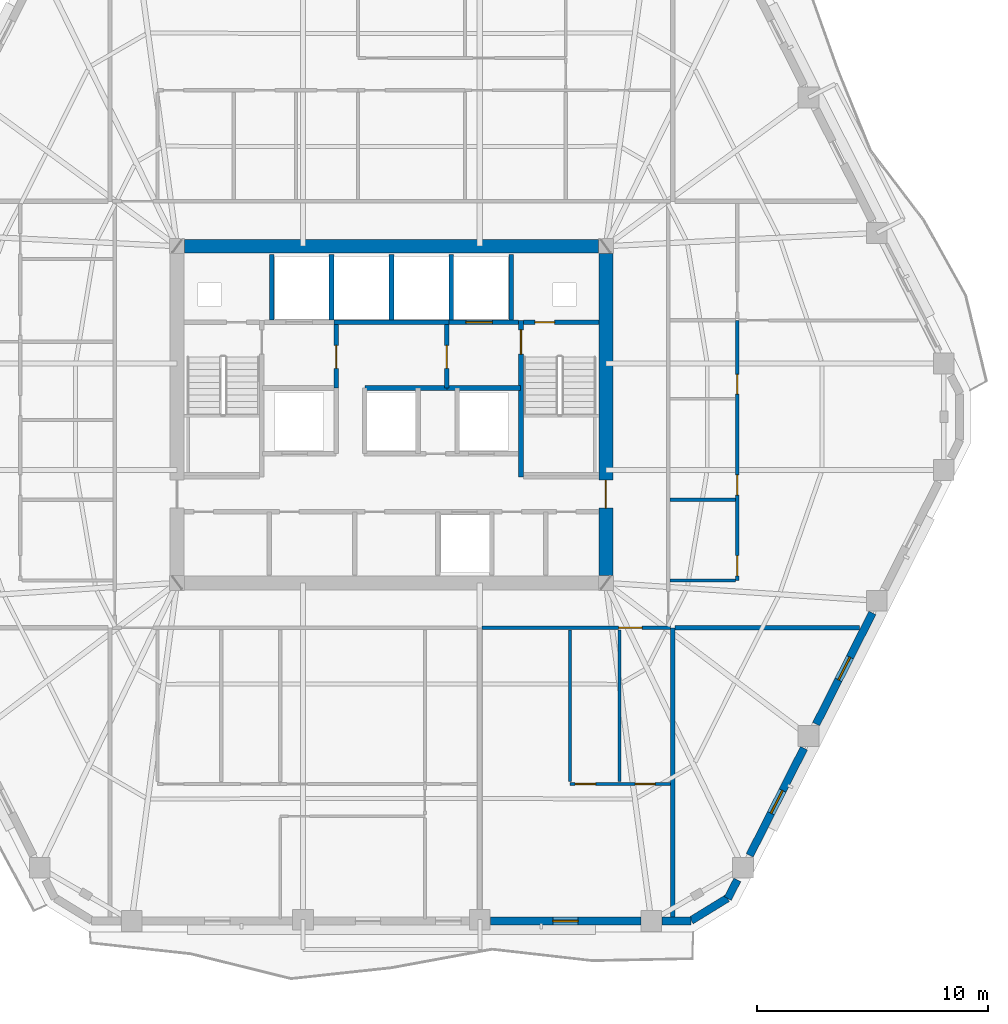
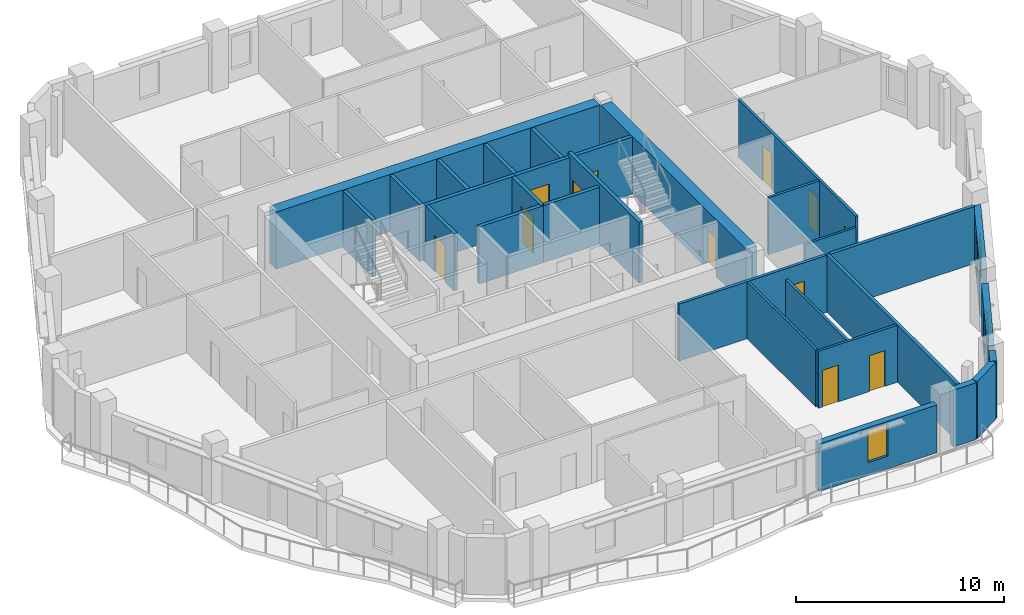
# One storey, part 6 of 12: 30 walls, 12 doors, 3 windows, 15 openings.
"""IFC4 building model written with IfcOpenShell, lengths in metres."""

from ifc_helpers import new_model, si_unit, direction, frame, frame_2d, origin, place, context, subcontext, project, spatial, rectangle, extrude, material, layer, layer_set, type_object, element, fill, save


model = new_model("IFC4")

# Units and contexts
model_context = context("Model", 3, precision=1e-05, world=origin(), true_north=direction((0.0, 1.0)))
body_context = subcontext(model_context, "Body", "Model", "MODEL_VIEW")
ifc_project = project(units=[si_unit("LENGTHUNIT", "METRE"), si_unit("AREAUNIT", "SQUARE_METRE"), si_unit("VOLUMEUNIT", "CUBIC_METRE"), si_unit("PLANEANGLEUNIT", "RADIAN"), si_unit("MASSUNIT", "GRAM", prefix="KILO")], contexts=[model_context])

# Site, building, storey
site_placement = place(None, origin())
site = spatial("IfcSite", under=ifc_project, at=site_placement, CompositionType="ELEMENT")
building_placement = place(site_placement, origin())
building = spatial("IfcBuilding", under=site, at=building_placement, Name="Cinnabar Lancet Tower", CompositionType="ELEMENT")
storey_placement = place(building_placement, frame((0.0, 0.0, 153.5)))
storey = spatial("IfcBuildingStorey", under=building, at=storey_placement, Name="L40", CompositionType="ELEMENT", Elevation=153.5)

# Wall, opening, door
ifc_material_1 = material(Name="Acoustic twin-stud gypsum partition", Category="gypsum")
ifc_layer_1 = layer(ifc_material_1, 0.159912109375)
ifc_layer_set_1 = layer_set([ifc_layer_1], Name="Acoustic twin-stud gypsum partition")
wall_type_1 = type_object("IfcWallType", Name="ARC-WL-CORR-160", PredefinedType="PARTITIONING", material=ifc_layer_set_1)
wall_1_placement = place(storey_placement, frame((36.326904296875, 16.64990234375, 0.0), z_axis=(0.0, 0.0, 1.0), x_axis=(1.0, 0.0, 0.0)))
wall_1 = element("IfcWall", 1, at=wall_1_placement, inside=storey, type_object=wall_type_1, Name="L40 Unit S02 Corridor Wall", PredefinedType="PARTITIONING", context=body_context, shape_type="SweptSolid", body=[
    extrude(rectangle(XDim=8.177978515625, YDim=0.159912109375, at=frame_2d((4.0888671875, 0.0))), origin(), (0.0, 0.0, 1.0), 3.340087890625),
])
opening_1_placement = place(wall_1_placement, frame((5.923095703125, 0.0, 0.0)))
opening_1 = element("IfcOpeningElement", 2, at=opening_1_placement, cuts=wall_1, Name="Opening UD-01", PredefinedType="OPENING", context=body_context, shape_type="SweptSolid", body=[
    extrude(rectangle(XDim=1.02001953125, YDim=2.25, at=frame_2d((0.510009765625, 1.125))), frame((0.0, 0.08984375, 0.0), z_axis=(0.0, -1.0, 0.0), x_axis=(1.0, 0.0, 0.0)), (0.0, 0.0, 1.0), 0.179931640625),
])
ifc_material_2 = material(Name="Solid timber fire-rated apartment entrance door", Category="wood")
door_type_1 = type_object("IfcDoorType", Name="ARC-DR-UNIT", OperationType="NOTDEFINED", PredefinedType="DOOR", material=ifc_material_2)
door_1_placement = place(opening_1_placement, origin())
door_1 = element("IfcDoor", 3, at=door_1_placement, inside=storey, type_object=door_type_1, Name="DR-L40-S02-ENT", OperationType="SINGLE_SWING_RIGHT", OverallHeight=2.25, OverallWidth=1.02001953125, PredefinedType="DOOR", context=body_context, shape_type="SweptSolid", body=[
    extrude(rectangle(XDim=1.02001953125, YDim=2.25, at=frame_2d((0.510009765625, 1.125))), frame((0.0, 0.02490234375, 0.0), z_axis=(0.0, -1.0, 0.0), x_axis=(1.0, 0.0, 0.0)), (0.0, 0.0, 1.0), 0.050048828125),
])
fill(opening_1, door_1)

# Walls
ifc_material_3 = material(Name="Fire-rated twin-frame acoustic drywall", Category="gypsum")
ifc_layer_2 = layer(ifc_material_3, 0.179931640625)
ifc_layer_set_2 = layer_set([ifc_layer_2], Name="Fire-rated twin-frame acoustic drywall")
wall_type_2 = type_object("IfcWallType", Name="ARC-WL-PARTY-180", PredefinedType="PARTITIONING", material=ifc_layer_set_2)
wall_2_placement = place(storey_placement, frame((44.60009765625, 4.10498046875, 0.0), z_axis=(0.0, 0.0, 1.0), x_axis=(0.0, 1.0, 0.0)))
element("IfcWall", 4, at=wall_2_placement, inside=storey, type_object=wall_type_2, Name="PW-L40-SPTY-446", PredefinedType="PARTITIONING", context=body_context, shape_type="SweptSolid", body=[
    extrude(rectangle(XDim=12.544921875, YDim=0.179931640625, at=frame_2d((6.2724609375, 0.0))), origin(), (0.0, 0.0, 1.0), 3.340087890625),
])
wall_3_placement = place(storey_placement, frame((44.695068359375, 16.64990234375, 0.0), z_axis=(0.0, 0.0, 1.0), x_axis=(1.0, 0.0, 0.0)))
element("IfcWall", 5, at=wall_3_placement, inside=storey, type_object=wall_type_2, Name="PW-L40-ESB", PredefinedType="PARTITIONING", context=body_context, shape_type="SweptSolid", body=[
    extrude(rectangle(XDim=7.995849609375, YDim=0.179931640625, at=frame_2d((3.998046875, 0.0))), origin(), (0.0, 0.0, 1.0), 3.340087890625),
])
ifc_material_4 = material(Name="Autoclaved aerated concrete blockwork", Category="masonry")
ifc_layer_3 = layer(ifc_material_4, 0.199951171875)
ifc_layer_set_3 = layer_set([ifc_layer_3], Name="Autoclaved aerated concrete blockwork")
wall_type_3 = type_object("IfcWallType", Name="ARC-WL-SHAFT-200", PredefinedType="PLUMBINGWALL", material=ifc_layer_set_3)
wall_4_placement = place(storey_placement, frame((29.89990234375, 29.89990234375, 0.0), z_axis=(0.0, 0.0, 1.0), x_axis=(1.0, 0.0, 0.0)))
element("IfcWall", 6, at=wall_4_placement, inside=storey, type_object=wall_type_3, Name="CW-PL78-L40", PredefinedType="PLUMBINGWALL", context=body_context, shape_type="SweptSolid", body=[
    extrude(rectangle(XDim=5.0, YDim=0.199951171875, at=frame_2d((2.5, 0.0))), origin(), (0.0, 0.0, 1.0), 3.340087890625),
])

# Wall, opening, door
wall_5_placement = place(storey_placement, frame((34.89990234375, 29.89990234375, 0.0), z_axis=(0.0, 0.0, 1.0), x_axis=(1.0, 0.0, 0.0)))
wall_5 = element("IfcWall", 7, at=wall_5_placement, inside=storey, type_object=wall_type_3, Name="CW-FL2-L40", PredefinedType="PLUMBINGWALL", context=body_context, shape_type="SweptSolid", body=[
    extrude(rectangle(XDim=3.01513671875, YDim=0.199951171875, at=frame_2d((1.507568359375, 0.0))), origin(), (0.0, 0.0, 1.0), 3.340087890625),
])
opening_2_placement = place(wall_5_placement, frame((0.72509765625, 0.0, 0.0)))
opening_2 = element("IfcOpeningElement", 8, at=opening_2_placement, cuts=wall_5, Name="Opening LD-02", PredefinedType="OPENING", context=body_context, shape_type="SweptSolid", body=[
    extrude(rectangle(XDim=1.14990234375, YDim=2.199951171875, at=frame_2d((0.574951171875, 1.10009765625))), frame((0.0, 0.10986328125, 0.0), z_axis=(0.0, -1.0, 0.0), x_axis=(1.0, 0.0, 0.0)), (0.0, 0.0, 1.0), 0.219970703125),
])
ifc_material_5 = material(Name="Fire-rated stainless steel firefighting lift landing door", Category="steel")
door_type_2 = type_object("IfcDoorType", Name="ARC-DR-LD-FIRE", OperationType="NOTDEFINED", PredefinedType="DOOR", material=ifc_material_5)
door_2_placement = place(opening_2_placement, origin())
door_2 = element("IfcDoor", 9, at=door_2_placement, inside=storey, type_object=door_type_2, Name="L40 Firefighting Lift FL-2 Landing Door", OperationType="DOUBLE_DOOR_SLIDING", OverallHeight=2.199951171875, OverallWidth=1.14990234375, PredefinedType="DOOR", context=body_context, shape_type="SweptSolid", body=[
    extrude(rectangle(XDim=1.14990234375, YDim=2.199951171875, at=frame_2d((0.574951171875, 1.10009765625))), frame((0.0, 0.02490234375, 0.0), z_axis=(0.0, -1.0, 0.0), x_axis=(1.0, 0.0, 0.0)), (0.0, 0.0, 1.0), 0.050048828125),
])
fill(opening_2, door_2)

wall_6_placement = place(storey_placement, frame((38.125, 29.89990234375, 0.0), z_axis=(0.0, 0.0, 1.0), x_axis=(1.0, 0.0, 0.0)))
wall_6 = element("IfcWall", 10, at=wall_6_placement, inside=storey, type_object=wall_type_3, Name="CW-NSH-E-L40", PredefinedType="PLUMBINGWALL", context=body_context, shape_type="SweptSolid", body=[
    extrude(rectangle(XDim=3.27001953125, YDim=0.199951171875, at=frame_2d((1.635009765625, 0.0))), origin(), (0.0, 0.0, 1.0), 3.340087890625),
])
opening_3_placement = place(wall_6_placement, frame((0.5, 0.0, 0.0)))
opening_3 = element("IfcOpeningElement", 11, at=opening_3_placement, cuts=wall_6, Name="Opening PD-02", PredefinedType="OPENING", context=body_context, shape_type="SweptSolid", body=[
    extrude(rectangle(XDim=0.85009765625, YDim=2.050048828125, at=frame_2d((0.425048828125, 1.02490234375))), frame((0.0, 0.10986328125, 0.0), z_axis=(0.0, -1.0, 0.0), x_axis=(1.0, 0.0, 0.0)), (0.0, 0.0, 1.0), 0.219970703125),
])
ifc_material_6 = material(Name="Fire-rated steel riser access door", Category="steel")
door_type_3 = type_object("IfcDoorType", Name="ARC-DR-RISER", OperationType="NOTDEFINED", PredefinedType="DOOR", material=ifc_material_6)
door_3_placement = place(opening_3_placement, origin())
door_3 = element("IfcDoor", 12, at=door_3_placement, inside=storey, type_object=door_type_3, Name="L40 East Riser Access Door", OperationType="SINGLE_SWING_RIGHT", OverallHeight=2.050048828125, OverallWidth=0.85009765625, PredefinedType="DOOR", context=body_context, shape_type="SweptSolid", body=[
    extrude(rectangle(XDim=0.85009765625, YDim=2.050048828125, at=frame_2d((0.425048828125, 1.02490234375))), frame((0.0, 0.02490234375, 0.0), z_axis=(0.0, -1.0, 0.0), x_axis=(1.0, 0.0, 0.0)), (0.0, 0.0, 1.0), 0.050048828125),
])
fill(opening_3, door_3)

# Walls
for number, where, z_axis, x_axis, name in (
    (13, (27.199951171875, 30.0, 0.0), (0.0, 0.0, 1.0), (0.0, 1.0, 0.0), "CW-NSH-D1-L40"),
    (14, (29.800048828125, 30.0, 0.0), (0.0, 0.0, 1.0), (0.0, 1.0, 0.0), "CW-NSH-D2-L40"),
    (15, (32.39990234375, 30.0, 0.0), (0.0, 0.0, 1.0), (0.0, 1.0, 0.0), "CW-NSH-D3-L40"),
    (16, (35.0, 30.0, 0.0), (0.0, 0.0, 1.0), (0.0, 1.0, 0.0), "CW-NSH-D4-L40"),
    (17, (37.60009765625, 30.0, 0.0), (0.0, 0.0, 1.0), (0.0, 1.0, 0.0), "CW-NSH-D5-L40"),
):
    element("IfcWall", number, at=place(storey_placement, frame(where, z_axis=z_axis, x_axis=x_axis)), inside=storey, type_object=wall_type_3, Name=name, PredefinedType="PLUMBINGWALL", context=body_context, shape_type="SweptSolid", body=[
        extrude(rectangle(XDim=2.85009765625, YDim=0.199951171875, at=frame_2d((1.425048828125, 0.0))), origin(), (0.0, 0.0, 1.0), 3.340087890625),
    ])

# Wall, opening, door
wall_7_placement = place(storey_placement, frame((30.0, 27.050048828125, 0.0), z_axis=(0.0, 0.0, 1.0), x_axis=(0.0, 1.0, 0.0)))
wall_7 = element("IfcWall", 18, at=wall_7_placement, inside=storey, type_object=wall_type_3, Name="CW-FF1E-L40", PredefinedType="PLUMBINGWALL", context=body_context, shape_type="SweptSolid", body=[
    extrude(rectangle(XDim=2.75, YDim=0.199951171875, at=frame_2d((1.375, 0.0))), origin(), (0.0, 0.0, 1.0), 3.340087890625),
])
opening_4_placement = place(wall_7_placement, frame((0.85009765625, 0.0, 0.0)))
opening_4 = element("IfcOpeningElement", 19, at=opening_4_placement, cuts=wall_7, Name="Opening FD-01", PredefinedType="OPENING", context=body_context, shape_type="SweptSolid", body=[
    extrude(rectangle(XDim=1.0, YDim=2.14990234375, at=frame_2d((0.5, 1.074951171875))), frame((0.0, 0.10986328125, 0.0), z_axis=(0.0, -1.0, 0.0), x_axis=(1.0, 0.0, 0.0)), (0.0, 0.0, 1.0), 0.219970703125),
])
ifc_material_7 = material(Name="Fire-rated timber-core lobby door", Category="wood")
door_type_4 = type_object("IfcDoorType", Name="ARC-DR-FFAL", OperationType="NOTDEFINED", PredefinedType="DOOR", material=ifc_material_7)
door_4_placement = place(opening_4_placement, origin())
door_4 = element("IfcDoor", 20, at=door_4_placement, inside=storey, type_object=door_type_4, Name="L40 FFAL-1 Lobby Fire Door", OperationType="SINGLE_SWING_RIGHT", OverallHeight=2.14990234375, OverallWidth=1.0, PredefinedType="DOOR", context=body_context, shape_type="SweptSolid", body=[
    extrude(rectangle(XDim=1.0, YDim=2.14990234375, at=frame_2d((0.5, 1.074951171875))), frame((0.0, 0.02490234375, 0.0), z_axis=(0.0, -1.0, 0.0), x_axis=(1.0, 0.0, 0.0)), (0.0, 0.0, 1.0), 0.050048828125),
])
fill(opening_4, door_4)

wall_8_placement = place(storey_placement, frame((34.800048828125, 27.050048828125, 0.0), z_axis=(0.0, 0.0, 1.0), x_axis=(0.0, 1.0, 0.0)))
wall_8 = element("IfcWall", 21, at=wall_8_placement, inside=storey, type_object=wall_type_3, Name="CW-FF2W-L40", PredefinedType="PLUMBINGWALL", context=body_context, shape_type="SweptSolid", body=[
    extrude(rectangle(XDim=2.75, YDim=0.199951171875, at=frame_2d((1.375, 0.0))), origin(), (0.0, 0.0, 1.0), 3.340087890625),
])
opening_5_placement = place(wall_8_placement, frame((0.85009765625, 0.0, 0.0)))
opening_5 = element("IfcOpeningElement", 22, at=opening_5_placement, cuts=wall_8, Name="Opening FD-01", PredefinedType="OPENING", context=body_context, shape_type="SweptSolid", body=[
    extrude(rectangle(XDim=1.0, YDim=2.14990234375, at=frame_2d((0.5, 1.074951171875))), frame((0.0, 0.10986328125, 0.0), z_axis=(0.0, -1.0, 0.0), x_axis=(1.0, 0.0, 0.0)), (0.0, 0.0, 1.0), 0.219970703125),
])
door_5_placement = place(opening_5_placement, origin())
door_5 = element("IfcDoor", 23, at=door_5_placement, inside=storey, type_object=door_type_4, Name="L40 FFAL-2 Lobby Fire Door", OperationType="SINGLE_SWING_LEFT", OverallHeight=2.14990234375, OverallWidth=1.0, PredefinedType="DOOR", context=body_context, shape_type="SweptSolid", body=[
    extrude(rectangle(XDim=1.0, YDim=2.14990234375, at=frame_2d((0.5, 1.074951171875))), frame((0.0, 0.02490234375, 0.0), z_axis=(0.0, -1.0, 0.0), x_axis=(1.0, 0.0, 0.0)), (0.0, 0.0, 1.0), 0.050048828125),
])
fill(opening_5, door_5)

# Walls
wall_9_placement = place(storey_placement, frame((34.800048828125, 27.050048828125, 0.0), z_axis=(0.0, 0.0, 1.0), x_axis=(1.0, 0.0, 0.0)))
element("IfcWall", 24, at=wall_9_placement, inside=storey, type_object=wall_type_3, Name="CW-FF2S-L40", PredefinedType="PLUMBINGWALL", context=body_context, shape_type="SweptSolid", body=[
    extrude(rectangle(XDim=3.199951171875, YDim=0.199951171875, at=frame_2d((1.60009765625, 0.0))), origin(), (0.0, 0.0, 1.0), 3.340087890625),
])
wall_10_placement = place(storey_placement, frame((31.25, 27.050048828125, 0.0), z_axis=(0.0, 0.0, 1.0), x_axis=(1.0, 0.0, 0.0)))
element("IfcWall", 25, at=wall_10_placement, inside=storey, type_object=wall_type_3, Name="CW-PL96N-L40", PredefinedType="PLUMBINGWALL", context=body_context, shape_type="SweptSolid", body=[
    extrude(rectangle(XDim=3.550048828125, YDim=0.199951171875, at=frame_2d((1.77490234375, 0.0))), origin(), (0.0, 0.0, 1.0), 3.340087890625),
])
ifc_material_8 = material(Name="Gypsum plasterboard stud partition", Category="gypsum")
ifc_layer_4 = layer(ifc_material_8, 0.125)
ifc_layer_set_4 = layer_set([ifc_layer_4], Name="Gypsum plasterboard stud partition")
wall_type_4 = type_object("IfcWallType", Name="ARC-WL-UNIT-125", PredefinedType="PARTITIONING", material=ifc_layer_set_4)
wall_11_placement = place(storey_placement, frame((40.14990234375, 9.98095703125, 0.0), z_axis=(0.0, 0.0, 1.0), x_axis=(0.0, 1.0, 0.0)))
element("IfcWall", 26, at=wall_11_placement, inside=storey, type_object=wall_type_4, Name="UW-L40-S02-FOYE", PredefinedType="PARTITIONING", context=body_context, shape_type="SweptSolid", body=[
    extrude(rectangle(XDim=6.583984375, YDim=0.125, at=frame_2d((3.2919921875, 0.0))), origin(), (0.0, 0.0, 1.0), 3.340087890625),
])
wall_12_placement = place(storey_placement, frame((44.485107421875, 18.699951171875, 0.0), z_axis=(0.0, 0.0, 1.0), x_axis=(1.0, 0.0, 0.0)))
element("IfcWall", 27, at=wall_12_placement, inside=storey, type_object=wall_type_4, Name="UW-L40-E01-FOYN", PredefinedType="PARTITIONING", context=body_context, shape_type="SweptSolid", body=[
    extrude(rectangle(XDim=2.829833984375, YDim=0.125, at=frame_2d((1.4150390625, 0.0))), origin(), (0.0, 0.0, 1.0), 2.721923828125),
])

# Wall, openings, doors
ifc_material_9 = material(Name="Moisture-resistant cement-board plumbing wall", Category="masonry")
ifc_layer_5 = layer(ifc_material_9, 0.139892578125)
ifc_layer_set_5 = layer_set([ifc_layer_5], Name="Moisture-resistant cement-board plumbing wall")
wall_type_5 = type_object("IfcWallType", Name="ARC-WL-WET-140", PredefinedType="PLUMBINGWALL", material=ifc_layer_set_5)
wall_13_placement = place(storey_placement, frame((40.14990234375, 9.8759765625, 0.0), z_axis=(0.0, 0.0, 1.0), x_axis=(1.0, 0.0, 0.0)))
wall_13 = element("IfcWall", 28, at=wall_13_placement, inside=storey, type_object=wall_type_5, Name="UW-L40-S02-SPL", PredefinedType="PLUMBINGWALL", context=body_context, shape_type="SweptSolid", body=[
    extrude(rectangle(XDim=4.35498046875, YDim=0.139892578125, at=frame_2d((2.177490234375, 0.0))), origin(), (0.0, 0.0, 1.0), 3.340087890625),
])
opening_6_placement = place(wall_13_placement, frame((2.821044921875, 0.0, 0.0)))
opening_6 = element("IfcOpeningElement", 29, at=opening_6_placement, cuts=wall_13, Name="Opening BD-01", PredefinedType="OPENING", context=body_context, shape_type="SweptSolid", body=[
    extrude(rectangle(XDim=0.860107421875, YDim=2.10009765625, at=frame_2d((0.43017578125, 1.050048828125))), frame((0.0, 0.079833984375, 0.0), z_axis=(0.0, -1.0, 0.0), x_axis=(1.0, 0.0, 0.0)), (0.0, 0.0, 1.0), 0.159912109375),
])
opening_7_placement = place(wall_13_placement, frame((0.219970703125, 0.0, 0.0)))
opening_7 = element("IfcOpeningElement", 30, at=opening_7_placement, cuts=wall_13, Name="Opening RD-02", PredefinedType="OPENING", context=body_context, shape_type="SweptSolid", body=[
    extrude(rectangle(XDim=0.8798828125, YDim=2.14990234375, at=frame_2d((0.43994140625, 1.074951171875))), frame((0.0, 0.079833984375, 0.0), z_axis=(0.0, -1.0, 0.0), x_axis=(1.0, 0.0, 0.0)), (0.0, 0.0, 1.0), 0.159912109375),
])
ifc_material_10 = material(Name="Moisture-resistant timber bathroom door", Category="wood")
door_type_5 = type_object("IfcDoorType", Name="ARC-DR-BATH", OperationType="NOTDEFINED", PredefinedType="DOOR", material=ifc_material_10)
door_6_placement = place(opening_6_placement, origin())
door_6 = element("IfcDoor", 31, at=door_6_placement, inside=storey, type_object=door_type_5, Name="DR-L40-S02-BTH", OperationType="SINGLE_SWING_RIGHT", OverallHeight=2.10009765625, OverallWidth=0.860107421875, PredefinedType="DOOR", context=body_context, shape_type="SweptSolid", body=[
    extrude(rectangle(XDim=0.860107421875, YDim=2.10009765625, at=frame_2d((0.43017578125, 1.050048828125))), frame((0.0, 0.02490234375, 0.0), z_axis=(0.0, -1.0, 0.0), x_axis=(1.0, 0.0, 0.0)), (0.0, 0.0, 1.0), 0.050048828125),
])
fill(opening_6, door_6)
ifc_material_11 = material(Name="Engineered timber study door", Category="wood")
door_type_6 = type_object("IfcDoorType", Name="ARC-DR-STUDY", OperationType="NOTDEFINED", PredefinedType="DOOR", material=ifc_material_11)
door_7_placement = place(opening_7_placement, origin())
door_7 = element("IfcDoor", 32, at=door_7_placement, inside=storey, type_object=door_type_6, Name="DR-L40-S02-KIT", OperationType="SINGLE_SWING_LEFT", OverallHeight=2.14990234375, OverallWidth=0.8798828125, PredefinedType="DOOR", context=body_context, shape_type="SweptSolid", body=[
    extrude(rectangle(XDim=0.8798828125, YDim=2.14990234375, at=frame_2d((0.43994140625, 1.074951171875))), frame((0.0, 0.02490234375, 0.0), z_axis=(0.0, -1.0, 0.0), x_axis=(1.0, 0.0, 0.0)), (0.0, 0.0, 1.0), 0.050048828125),
])
fill(opening_7, door_7)

# Wall
wall_14_placement = place(storey_placement, frame((42.285888671875, 9.98095703125, 0.0), z_axis=(0.0, 0.0, 1.0), x_axis=(0.0, 1.0, 0.0)))
element("IfcWall", 33, at=wall_14_placement, inside=storey, type_object=wall_type_5, Name="UW-L40-S02-KDV", PredefinedType="PLUMBINGWALL", context=body_context, shape_type="SweptSolid", body=[
    extrude(rectangle(XDim=6.583984375, YDim=0.139892578125, at=frame_2d((3.2919921875, 0.0))), origin(), (0.0, 0.0, 1.0), 2.721923828125),
])

# Wall, openings, doors
wall_15_placement = place(storey_placement, frame((47.39990234375, 18.699951171875, 0.0), z_axis=(0.0, 0.0, 1.0), x_axis=(0.0, 1.0, 0.0)))
wall_15 = element("IfcWall", 34, at=wall_15_placement, inside=storey, type_object=wall_type_5, Name="UW-L40-E01-SPL", PredefinedType="PLUMBINGWALL", context=body_context, shape_type="SweptSolid", body=[
    extrude(rectangle(XDim=11.28515625, YDim=0.139892578125, at=frame_2d((5.642578125, 0.0))), origin(), (0.0, 0.0, 1.0), 3.340087890625),
])
opening_8_placement = place(wall_15_placement, frame((0.199951171875, 0.0, 0.0)))
opening_8 = element("IfcOpeningElement", 35, at=opening_8_placement, cuts=wall_15, Name="Opening RD-02", PredefinedType="OPENING", context=body_context, shape_type="SweptSolid", body=[
    extrude(rectangle(XDim=0.8798828125, YDim=2.14990234375, at=frame_2d((0.43994140625, 1.074951171875))), frame((0.0, 0.079833984375, 0.0), z_axis=(0.0, -1.0, 0.0), x_axis=(1.0, 0.0, 0.0)), (0.0, 0.0, 1.0), 0.159912109375),
])
opening_9_placement = place(wall_15_placement, frame((3.699951171875, 0.0, 0.0)))
opening_9 = element("IfcOpeningElement", 36, at=opening_9_placement, cuts=wall_15, Name="Opening RD-02", PredefinedType="OPENING", context=body_context, shape_type="SweptSolid", body=[
    extrude(rectangle(XDim=0.8798828125, YDim=2.14990234375, at=frame_2d((0.43994140625, 1.074951171875))), frame((0.0, 0.079833984375, 0.0), z_axis=(0.0, -1.0, 0.0), x_axis=(1.0, 0.0, 0.0)), (0.0, 0.0, 1.0), 0.159912109375),
])
opening_10_placement = place(wall_15_placement, frame((8.0849609375, 0.0, 0.0)))
opening_10 = element("IfcOpeningElement", 37, at=opening_10_placement, cuts=wall_15, Name="Opening BD-01", PredefinedType="OPENING", context=body_context, shape_type="SweptSolid", body=[
    extrude(rectangle(XDim=0.860107421875, YDim=2.10009765625, at=frame_2d((0.43017578125, 1.050048828125))), frame((0.0, 0.079833984375, 0.0), z_axis=(0.0, -1.0, 0.0), x_axis=(1.0, 0.0, 0.0)), (0.0, 0.0, 1.0), 0.159912109375),
])
door_8_placement = place(opening_10_placement, origin())
door_8 = element("IfcDoor", 38, at=door_8_placement, inside=storey, type_object=door_type_5, Name="DR-L40-E01-BTH", OperationType="SINGLE_SWING_LEFT", OverallHeight=2.10009765625, OverallWidth=0.860107421875, PredefinedType="DOOR", context=body_context, shape_type="SweptSolid", body=[
    extrude(rectangle(XDim=0.860107421875, YDim=2.10009765625, at=frame_2d((0.43017578125, 1.050048828125))), frame((0.0, 0.02490234375, 0.0), z_axis=(0.0, -1.0, 0.0), x_axis=(1.0, 0.0, 0.0)), (0.0, 0.0, 1.0), 0.050048828125),
])
fill(opening_10, door_8)
door_9_placement = place(opening_8_placement, origin())
door_9 = element("IfcDoor", 39, at=door_9_placement, inside=storey, type_object=door_type_6, Name="DR-L40-E01-KIT", OperationType="SINGLE_SWING_LEFT", OverallHeight=2.14990234375, OverallWidth=0.8798828125, PredefinedType="DOOR", context=body_context, shape_type="SweptSolid", body=[
    extrude(rectangle(XDim=0.8798828125, YDim=2.14990234375, at=frame_2d((0.43994140625, 1.074951171875))), frame((0.0, 0.02490234375, 0.0), z_axis=(0.0, -1.0, 0.0), x_axis=(1.0, 0.0, 0.0)), (0.0, 0.0, 1.0), 0.050048828125),
])
fill(opening_8, door_9)
door_10_placement = place(opening_9_placement, origin())
door_10 = element("IfcDoor", 40, at=door_10_placement, inside=storey, type_object=door_type_6, Name="DR-L40-E01-UTL", OperationType="SINGLE_SWING_RIGHT", OverallHeight=2.14990234375, OverallWidth=0.8798828125, PredefinedType="DOOR", context=body_context, shape_type="SweptSolid", body=[
    extrude(rectangle(XDim=0.8798828125, YDim=2.14990234375, at=frame_2d((0.43994140625, 1.074951171875))), frame((0.0, 0.02490234375, 0.0), z_axis=(0.0, -1.0, 0.0), x_axis=(1.0, 0.0, 0.0)), (0.0, 0.0, 1.0), 0.050048828125),
])
fill(opening_9, door_10)

# Walls
wall_16_placement = place(storey_placement, frame((44.485107421875, 22.199951171875, 0.0), z_axis=(0.0, 0.0, 1.0), x_axis=(1.0, 0.0, 0.0)))
element("IfcWall", 41, at=wall_16_placement, inside=storey, type_object=wall_type_5, Name="UW-L40-E01-KDV", PredefinedType="PLUMBINGWALL", context=body_context, shape_type="SweptSolid", body=[
    extrude(rectangle(XDim=2.829833984375, YDim=0.139892578125, at=frame_2d((1.4150390625, 0.0))), origin(), (0.0, 0.0, 1.0), 3.340087890625),
])
ifc_material_12 = material(Name="Cinnabar red clay brick", Category="masonry")
ifc_layer_6 = layer(ifc_material_12, 0.340087890625)
ifc_layer_set_6 = layer_set([ifc_layer_6], Name="Cinnabar red clay brick")
wall_type_6 = type_object("IfcWallType", Name="ENV-WL-BRK-RED-340", PredefinedType="STANDARD", material=ifc_layer_set_6)
wall_17_placement = place(storey_placement, frame((45.39697265625, 3.955078125, 0.0), z_axis=(0.0, 0.0, 1.0), x_axis=(0.851798915137, 0.523868884523, 0.0)))
element("IfcWall", 42, at=wall_17_placement, inside=storey, type_object=wall_type_6, Name="L40 Chamfered Corner Brick Pier 2.1", PredefinedType="STANDARD", context=body_context, shape_type="SweptSolid", body=[
    extrude(rectangle(XDim=1.847900390625, YDim=0.340087890625, at=frame_2d((0.923828125, 0.0))), origin(), (0.0, 0.0, 1.0), 3.340087890625),
])

# Wall, opening, window
wall_18_placement = place(storey_placement, frame((36.68603515625, 3.929931640625, 0.0), z_axis=(0.0, 0.0, 1.0), x_axis=(1.0, 0.0, 0.0)))
wall_18 = element("IfcWall", 43, at=wall_18_placement, inside=storey, type_object=wall_type_6, Name="L40 Face 1 Masonry Bay Wall 4", PredefinedType="STANDARD", context=body_context, shape_type="SweptSolid", body=[
    extrude(rectangle(XDim=6.529052734375, YDim=0.340087890625, at=frame_2d((3.2646484375, 0.0))), origin(), (0.0, 0.0, 1.0), 2.797119140625),
])
opening_11_placement = place(wall_18_placement, frame((2.715087890625, 0.0, 0.75)))
opening_11 = element("IfcOpeningElement", 44, at=opening_11_placement, cuts=wall_18, Name="Opening WN-04", PredefinedType="OPENING", context=body_context, shape_type="SweptSolid", body=[
    extrude(rectangle(XDim=1.10009765625, YDim=1.89697265625, at=frame_2d((0.550048828125, 0.948486328125))), frame((0.0, 0.179931640625, 0.0), z_axis=(0.0, -1.0, 0.0), x_axis=(1.0, 0.0, 0.0)), (0.0, 0.0, 1.0), 0.360107421875),
])
ifc_material_13 = material(Name="Thermally broken bronze-anodized aluminium tall lancet window", Category="aluminium")
window_type = type_object("IfcWindowType", Name="ENV-WN-LANCET-1100", PartitioningType="SINGLE_PANEL", PredefinedType="WINDOW", material=ifc_material_13)
window_1_placement = place(opening_11_placement, origin())
window_1 = element("IfcWindow", 45, at=window_1_placement, inside=storey, type_object=window_type, Name="L40 Face 1 Gothic Lancet Window 4", OverallHeight=1.89697265625, OverallWidth=1.10009765625, PartitioningType="SINGLE_PANEL", PredefinedType="WINDOW", context=body_context, shape_type="SweptSolid", body=[
    extrude(rectangle(XDim=1.10009765625, YDim=1.89697265625, at=frame_2d((0.550048828125, 0.948486328125))), frame((0.0, 0.030029296875, 0.0), z_axis=(0.0, -1.0, 0.0), x_axis=(1.0, 0.0, 0.0)), (0.0, 0.0, 1.0), 0.06005859375),
])
fill(opening_11, window_1)

# Walls
wall_19_placement = place(storey_placement, frame((44.123046875, 3.929931640625, 0.0), z_axis=(0.0, 0.0, 1.0), x_axis=(1.0, 0.0, 0.0)))
element("IfcWall", 46, at=wall_19_placement, inside=storey, type_object=wall_type_6, Name="L40 Face 1 Masonry Bay Wall 5", PredefinedType="STANDARD", context=body_context, shape_type="SweptSolid", body=[
    extrude(rectangle(XDim=1.279052734375, YDim=0.340087890625, at=frame_2d((0.6396484375, 0.0))), origin(), (0.0, 0.0, 1.0), 3.340087890625),
])
wall_20_placement = place(storey_placement, frame((46.990966796875, 4.906982421875, 0.0), z_axis=(0.0, 0.0, 1.0), x_axis=(0.451521436551, 0.892260271633, 0.0)))
element("IfcWall", 47, at=wall_20_placement, inside=storey, type_object=wall_type_6, Name="L40 Face 2 Masonry Bay Wall 1", PredefinedType="STANDARD", context=body_context, shape_type="SweptSolid", body=[
    extrude(rectangle(XDim=0.90576171875, YDim=0.340087890625, at=frame_2d((0.452880859375, 0.0))), origin(), (0.0, 0.0, 1.0), 3.340087890625),
])

# Wall, opening, window
wall_21_placement = place(storey_placement, frame((47.93701171875, 6.777099609375, 0.0), z_axis=(0.0, 0.0, 1.0), x_axis=(0.451595734115, 0.892222670038, 0.0)))
wall_21 = element("IfcWall", 48, at=wall_21_placement, inside=storey, type_object=wall_type_6, Name="L40 Face 2 Masonry Bay Wall 2", PredefinedType="STANDARD", context=body_context, shape_type="SweptSolid", body=[
    extrude(rectangle(XDim=5.208251953125, YDim=0.340087890625, at=frame_2d((2.60400390625, 0.0))), origin(), (0.0, 0.0, 1.0), 2.797119140625),
])
opening_12_placement = place(wall_21_placement, frame((2.053955078125, 0.0, 0.75)))
opening_12 = element("IfcOpeningElement", 49, at=opening_12_placement, cuts=wall_21, Name="Opening WN-04", PredefinedType="OPENING", context=body_context, shape_type="SweptSolid", body=[
    extrude(rectangle(XDim=1.10009765625, YDim=1.89697265625, at=frame_2d((0.550048828125, 0.948486328125))), frame((0.0, 0.179931640625, 0.0), z_axis=(0.0, -1.0, 0.0), x_axis=(1.0, 0.0, 0.0)), (0.0, 0.0, 1.0), 0.360107421875),
])
window_2_placement = place(opening_12_placement, origin())
window_2 = element("IfcWindow", 50, at=window_2_placement, inside=storey, type_object=window_type, Name="L40 Face 2 Gothic Lancet Window 2", OverallHeight=1.89697265625, OverallWidth=1.10009765625, PartitioningType="SINGLE_PANEL", PredefinedType="WINDOW", context=body_context, shape_type="SweptSolid", body=[
    extrude(rectangle(XDim=1.10009765625, YDim=1.89697265625, at=frame_2d((0.550048828125, 0.948486328125))), frame((0.0, 0.030029296875, 0.0), z_axis=(0.0, -1.0, 0.0), x_axis=(1.0, 0.0, 0.0)), (0.0, 0.0, 1.0), 0.06005859375),
])
fill(opening_12, window_2)

wall_22_placement = place(storey_placement, frame((50.818115234375, 12.470947265625, 0.0), z_axis=(0.0, 0.0, 1.0), x_axis=(0.451491174807, 0.892275584711, 0.0)))
wall_22 = element("IfcWall", 51, at=wall_22_placement, inside=storey, type_object=wall_type_6, Name="L40 Face 2 Masonry Bay Wall 3", PredefinedType="STANDARD", context=body_context, shape_type="SweptSolid", body=[
    extrude(rectangle(XDim=5.404296875, YDim=0.340087890625, at=frame_2d((2.7021484375, 0.0))), origin(), (0.0, 0.0, 1.0), 2.797119140625),
])
opening_13_placement = place(wall_22_placement, frame((2.152099609375, 0.0, 0.75)))
opening_13 = element("IfcOpeningElement", 52, at=opening_13_placement, cuts=wall_22, Name="Opening WN-04", PredefinedType="OPENING", context=body_context, shape_type="SweptSolid", body=[
    extrude(rectangle(XDim=1.10009765625, YDim=1.89697265625, at=frame_2d((0.550048828125, 0.948486328125))), frame((0.0, 0.179931640625, 0.0), z_axis=(0.0, -1.0, 0.0), x_axis=(1.0, 0.0, 0.0)), (0.0, 0.0, 1.0), 0.360107421875),
])
window_3_placement = place(opening_13_placement, origin())
window_3 = element("IfcWindow", 53, at=window_3_placement, inside=storey, type_object=window_type, Name="L40 Face 2 Gothic Lancet Window 3", OverallHeight=1.89697265625, OverallWidth=1.10009765625, PartitioningType="SINGLE_PANEL", PredefinedType="WINDOW", context=body_context, shape_type="SweptSolid", body=[
    extrude(rectangle(XDim=1.10009765625, YDim=1.89697265625, at=frame_2d((0.550048828125, 0.948486328125))), frame((0.0, 0.030029296875, 0.0), z_axis=(0.0, -1.0, 0.0), x_axis=(1.0, 0.0, 0.0)), (0.0, 0.0, 1.0), 0.06005859375),
])
fill(opening_13, window_3)

# Wall
ifc_material_14 = material(Name="Concrete C60/75", Category="concrete")
ifc_layer_7 = layer(ifc_material_14, 0.60009765625)
ifc_layer_set_7 = layer_set([ifc_layer_7], Name="Concrete C60/75")
wall_type_7 = type_object("IfcWallType", Name="STR-WL-CORE-600", PredefinedType="SHEAR", material=ifc_layer_set_7)
wall_23_placement = place(storey_placement, frame((23.425048828125, 33.199951171875, 0.0), z_axis=(0.0, 0.0, 1.0), x_axis=(1.0, 0.0, 0.0)))
element("IfcWall", 54, at=wall_23_placement, inside=storey, type_object=wall_type_7, Name="L40 Core Shear Wall N", PredefinedType="SHEAR", context=body_context, shape_type="SweptSolid", body=[
    extrude(rectangle(XDim=17.949951171875, YDim=0.60009765625, at=frame_2d((8.97509765625, 0.0))), origin(), (0.0, 0.0, 1.0), 3.340087890625),
])

# Wall, opening, door
wall_24_placement = place(storey_placement, frame((41.699951171875, 18.925048828125, 0.0), z_axis=(0.0, 0.0, 1.0), x_axis=(0.0, 1.0, 0.0)))
wall_24 = element("IfcWall", 55, at=wall_24_placement, inside=storey, type_object=wall_type_7, Name="L40 Core Shear Wall E", PredefinedType="SHEAR", context=body_context, shape_type="SweptSolid", body=[
    extrude(rectangle(XDim=13.949951171875, YDim=0.60009765625, at=frame_2d((6.97509765625, 0.0))), origin(), (0.0, 0.0, 1.0), 3.340087890625),
])
opening_14_placement = place(wall_24_placement, frame((2.9150390625, 0.0, 0.0)))
opening_14 = element("IfcOpeningElement", 56, at=opening_14_placement, cuts=wall_24, Name="Opening FD-02", PredefinedType="OPENING", context=body_context, shape_type="SweptSolid", body=[
    extrude(rectangle(XDim=1.219970703125, YDim=2.25, at=frame_2d((0.60986328125, 1.125))), frame((0.0, 0.31005859375, 0.0), z_axis=(0.0, -1.0, 0.0), x_axis=(1.0, 0.0, 0.0)), (0.0, 0.0, 1.0), 0.6201171875),
])
ifc_material_15 = material(Name="Fire-rated double-vision core portal door", Category="wood")
door_type_7 = type_object("IfcDoorType", Name="ARC-DR-CPORT", OperationType="NOTDEFINED", PredefinedType="DOOR", material=ifc_material_15)
door_11_placement = place(opening_14_placement, origin())
door_11 = element("IfcDoor", 57, at=door_11_placement, inside=storey, type_object=door_type_7, Name="L40 East Core Lobby Fire Door", OperationType="SINGLE_SWING_LEFT", OverallHeight=2.25, OverallWidth=1.219970703125, PredefinedType="DOOR", context=body_context, shape_type="SweptSolid", body=[
    extrude(rectangle(XDim=1.219970703125, YDim=2.25, at=frame_2d((0.60986328125, 1.125))), frame((0.0, 0.02490234375, 0.0), z_axis=(0.0, -1.0, 0.0), x_axis=(1.0, 0.0, 0.0)), (0.0, 0.0, 1.0), 0.050048828125),
])
fill(opening_14, door_11)

ifc_material_16 = material(Name="Concrete C50/60", Category="concrete")
ifc_layer_8 = layer(ifc_material_16, 0.199951171875)
ifc_layer_set_8 = layer_set([ifc_layer_8], Name="Concrete C50/60")
wall_type_8 = type_object("IfcWallType", Name="STR-WL-STAIR-200", PredefinedType="SHEAR", material=ifc_layer_set_8)
wall_25_placement = place(storey_placement, frame((38.02001953125, 23.199951171875, 0.0), z_axis=(0.0, 0.0, 1.0), x_axis=(0.0, 1.0, 0.0)))
wall_25 = element("IfcWall", 58, at=wall_25_placement, inside=storey, type_object=wall_type_8, Name="L40 Stair ST-2 Structural Enclosure Wall", PredefinedType="SHEAR", context=body_context, shape_type="SweptSolid", body=[
    extrude(rectangle(XDim=6.780029296875, YDim=0.199951171875, at=frame_2d((3.39013671875, 0.0))), origin(), (0.0, 0.0, 1.0), 3.550048828125),
])
opening_15_placement = place(wall_25_placement, frame((5.320068359375, 0.0, 0.0)))
opening_15 = element("IfcOpeningElement", 59, at=opening_15_placement, cuts=wall_25, Name="Opening SD-01", PredefinedType="OPENING", context=body_context, shape_type="SweptSolid", body=[
    extrude(rectangle(XDim=1.050048828125, YDim=2.14990234375, at=frame_2d((0.52490234375, 1.074951171875))), frame((0.0, 0.10986328125, 0.0), z_axis=(0.0, -1.0, 0.0), x_axis=(1.0, 0.0, 0.0)), (0.0, 0.0, 1.0), 0.219970703125),
])
ifc_material_17 = material(Name="Fire-rated steel stair exit door", Category="steel")
door_type_8 = type_object("IfcDoorType", Name="ARC-DR-STAIR", OperationType="NOTDEFINED", PredefinedType="DOOR", material=ifc_material_17)
door_12_placement = place(opening_15_placement, origin())
door_12 = element("IfcDoor", 60, at=door_12_placement, inside=storey, type_object=door_type_8, Name="L40 Stair ST-2 Fire Door", OperationType="SINGLE_SWING_RIGHT", OverallHeight=2.14990234375, OverallWidth=1.050048828125, PredefinedType="DOOR", context=body_context, shape_type="SweptSolid", body=[
    extrude(rectangle(XDim=1.050048828125, YDim=2.14990234375, at=frame_2d((0.52490234375, 1.074951171875))), frame((0.0, 0.02490234375, 0.0), z_axis=(0.0, -1.0, 0.0), x_axis=(1.0, 0.0, 0.0)), (0.0, 0.0, 1.0), 0.050048828125),
])
fill(opening_15, door_12)

save(model, "model.ifc")
